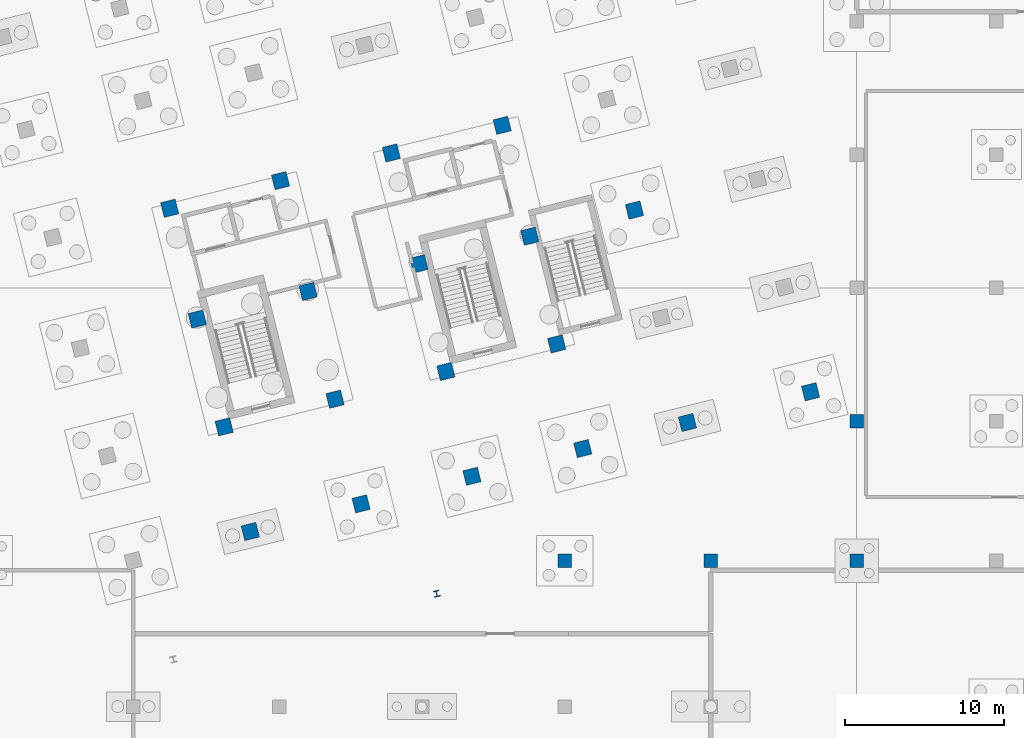
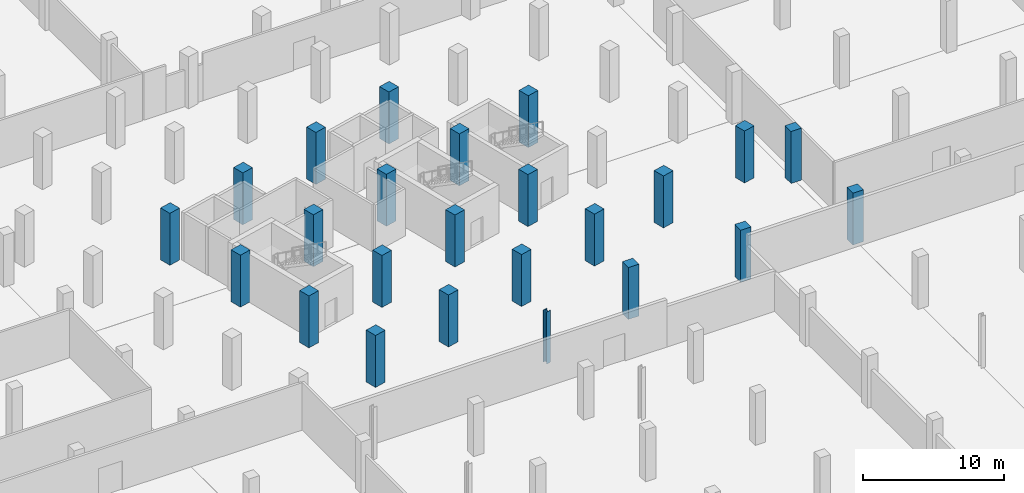
# One storey, part 11 of 29: 24 columns.
"""IFC4 building model written with IfcOpenShell, lengths in metres."""

import ifcopenshell
import ifcopenshell.guid

model = None  # the IFC model being written
_history = None  # IfcOwnerHistory: only IFC2X3 demands one
_inside = {}  # id of a spatial element -> (the spatial element, [elements in it])
_under = {}  # id of a project, library or spatial element -> (it, [spatial elements below it])
_declared = {}  # id of a project -> (the project, [libraries it declares])
_typed = {}  # id of a type object -> (the type object, [elements of that type])
_made_of = {}  # id of a material, layer set ... -> (it, [elements and type objects made of it])


def new_model(schema):
    """Start an empty IFC model of exactly this schema.

    Asked for "IFC4X3", IfcOpenShell would pick the latest addendum, in which some entities
    have other attributes; the version numbers below select the first issue.
    IFC2X3 requires an IfcOwnerHistory on every rooted entity: one is made here for all.
    """
    global model, _history
    if schema == "IFC4X3":
        model = ifcopenshell.file(schema_version=(4, 3, 0, 0))
    else:
        model = ifcopenshell.file(schema=schema)
    _inside.clear()
    _under.clear()
    _declared.clear()
    _typed.clear()
    _made_of.clear()
    _history = None
    if model.schema == "IFC2X3":
        org = make("IfcOrganization", Name="unknown")
        user = make(
            "IfcPersonAndOrganization",
            ThePerson=make("IfcPerson", FamilyName="unknown"),
            TheOrganization=org,
        )
        app = make(
            "IfcApplication",
            ApplicationDeveloper=org,
            Version="unknown",
            ApplicationFullName="unknown",
            ApplicationIdentifier="unknown",
        )
        _history = make(
            "IfcOwnerHistory",
            OwningUser=user,
            OwningApplication=app,
            ChangeAction="ADDED",
            CreationDate=0,
        )
    return model


def make(cls, **values):
    """One entity of the class cls with the attributes given. An attribute that is None is left unset."""
    return model.create_entity(
        cls, **{name: value for name, value in values.items() if value is not None}
    )


def rooted(cls, **values):
    """An entity with a GlobalId (a new one), such as an element, a storey or a relation."""
    return make(cls, GlobalId=ifcopenshell.guid.new(), OwnerHistory=_history, **values)


def si_unit(unit_type, name, prefix=None):
    """IfcSIUnit, for example si_unit("LENGTHUNIT", "METRE", prefix="MILLI")."""
    return make("IfcSIUnit", UnitType=unit_type, Prefix=prefix, Name=name)


def assignment(units):
    """IfcUnitAssignment: the units of a project."""
    return None if units is None else make("IfcUnitAssignment", Units=units)


def point(xyz):
    """IfcCartesianPoint."""
    return None if xyz is None else make("IfcCartesianPoint", Coordinates=xyz)


def direction(xyz):
    """IfcDirection."""
    return None if xyz is None else make("IfcDirection", DirectionRatios=xyz)


def frame(location, z_axis=None, x_axis=None):
    """IfcAxis2Placement3D, a coordinate frame: its origin and axes. An axis left out is left unset."""
    return make(
        "IfcAxis2Placement3D",
        Location=point(location),
        Axis=direction(z_axis),
        RefDirection=direction(x_axis),
    )


def frame_2d(location, x_axis=None):
    """IfcAxis2Placement2D, a coordinate frame in the plane: its origin and x axis."""
    return make(
        "IfcAxis2Placement2D", Location=point(location), RefDirection=direction(x_axis)
    )


def origin():
    """The frame at (0, 0, 0) with its axes left unset."""
    return frame((0.0, 0.0, 0.0))


def origin_2d():
    """The frame at (0, 0) in the plane with its x axis left unset."""
    return frame_2d((0.0, 0.0))


def place(relative_to, where):
    """IfcLocalPlacement: puts the frame where relative to a parent placement (None: the world)."""
    return make(
        "IfcLocalPlacement", PlacementRelTo=relative_to, RelativePlacement=where
    )


def context(
    kind, dimensions, precision=None, world=None, true_north=None, identifier=None
):
    """IfcGeometricRepresentationContext, for example the 3D "Model" context."""
    return make(
        "IfcGeometricRepresentationContext",
        ContextIdentifier=identifier,
        ContextType=kind,
        CoordinateSpaceDimension=dimensions,
        Precision=precision,
        WorldCoordinateSystem=world,
        TrueNorth=true_north,
    )


def subcontext(parent, identifier, kind, view, scale=None):
    """IfcGeometricRepresentationSubContext, for example "Body" below "Model"."""
    return make(
        "IfcGeometricRepresentationSubContext",
        ContextIdentifier=identifier,
        ContextType=kind,
        ParentContext=parent,
        TargetScale=scale,
        TargetView=view,
    )


def project(units=None, contexts=None):
    """IfcProject with its units and contexts."""
    return rooted(
        "IfcProject",
        Name="project",
        RepresentationContexts=contexts,
        UnitsInContext=assignment(units),
    )


def spatial(cls, under=None, at=None, **own):
    """A site, building, storey or space (cls), placed at a placement, below another one or the project."""
    s = rooted(cls, ObjectPlacement=at, **own)
    if under is not None:
        _under.setdefault(under.id(), (under, []))[1].append(s)
    return s


def profile(cls, at=None, kind="AREA", **sizes):
    """A parametric profile (cls). Its sizes go by their IFC names, for example OverallWidth=200.0."""
    return make(cls, ProfileType=kind, Position=at, **sizes)


def rectangle(**sizes):
    """IfcRectangleProfileDef."""
    return profile("IfcRectangleProfileDef", **sizes)


def i_section(**sizes):
    """IfcIShapeProfileDef."""
    return profile("IfcIShapeProfileDef", **sizes)


def extrude(swept, where, along, depth):
    """IfcExtrudedAreaSolid: the profile swept, set in the frame where, extruded along a direction by depth."""
    return make(
        "IfcExtrudedAreaSolid",
        SweptArea=swept,
        Position=where,
        ExtrudedDirection=direction(along),
        Depth=depth,
    )


def shape(context_of_items, identifier, shape_type, items):
    """IfcShapeRepresentation: the items that make up one representation, for example the "Body"."""
    return make(
        "IfcShapeRepresentation",
        ContextOfItems=context_of_items,
        RepresentationIdentifier=identifier,
        RepresentationType=shape_type,
        Items=items,
    )


def material(Name=None, Category=None):
    """IfcMaterial."""
    return make("IfcMaterial", Name=Name, Category=Category)


def material_profile(
    of_material, cross_section, Name=None, Category=None, Priority=None
):
    """IfcMaterialProfile: a cross section and its material."""
    return make(
        "IfcMaterialProfile",
        Name=Name,
        Material=of_material,
        Profile=cross_section,
        Priority=Priority,
        Category=Category,
    )


def profile_set(profiles, Name=None, composite=None):
    """IfcMaterialProfileSet."""
    return make(
        "IfcMaterialProfileSet",
        Name=Name,
        MaterialProfiles=profiles,
        CompositeProfile=composite,
    )


def made_of(thing, what):
    """Note that an element or type object is made of a material, layer set ...; save() writes the relation."""
    if what is not None:
        _made_of.setdefault(what.id(), (what, []))[1].append(thing)
    return thing


def type_object(cls, material=None, **own):
    """A type object (cls), such as IfcWallType, which elements share."""
    return made_of(rooted(cls, **own), material)


def element(
    cls,
    number,
    at=None,
    inside=None,
    cuts=None,
    type_object=None,
    material=None,
    context=None,
    identifier="Body",
    shape_type=None,
    held_by="IfcProductDefinitionShape",
    body=None,
    shapes=None,
    **own,
):
    """One element of the class cls, such as IfcWall. Its Tag is "e" and its number.

    at: its placement. inside: the storey or other place that contains it. cuts: it is an
    opening in that element (IfcRelVoidsElement). A single representation is given by context,
    identifier, shape_type and body (its items); several are given by shapes. held_by: the class
    of the entity that holds the representations. save() writes the other relations.
    """
    e = rooted(cls, Tag="e%d" % number, ObjectPlacement=at, **own)
    if body is not None:
        shapes = [shape(context, identifier, shape_type, body)]
    if shapes is not None:
        e.Representation = make(held_by, Representations=shapes)
    if inside is not None:
        _inside.setdefault(inside.id(), (inside, []))[1].append(e)
    if cuts is not None:
        rooted(
            "IfcRelVoidsElement", RelatingBuildingElement=cuts, RelatedOpeningElement=e
        )
    if type_object is not None:
        _typed.setdefault(type_object.id(), (type_object, []))[1].append(e)
    return made_of(e, material)


def aggregate(whole, parts):
    """IfcRelAggregates: a whole, such as a stair, and the parts it consists of."""
    return rooted("IfcRelAggregates", RelatingObject=whole, RelatedObjects=parts)


def save(model, path):
    """Write the relations noted so far, then the file.

    IfcRelAggregates (storeys below a building ...), IfcRelContainedInSpatialStructure (elements
    in a storey), IfcRelDefinesByType, IfcRelAssociatesMaterial and IfcRelDeclares: one each for
    every whole, place, type object, material and project.
    """
    for whole, parts in _under.values():
        aggregate(whole, parts)
    for where, things in _inside.values():
        rooted(
            "IfcRelContainedInSpatialStructure",
            RelatedElements=things,
            RelatingStructure=where,
        )
    for kind, things in _typed.values():
        rooted("IfcRelDefinesByType", RelatedObjects=things, RelatingType=kind)
    for what, things in _made_of.values():
        rooted("IfcRelAssociatesMaterial", RelatedObjects=things, RelatingMaterial=what)
    for by, libraries in _declared.values():
        rooted("IfcRelDeclares", RelatingContext=by, RelatedDefinitions=libraries)
    model.write(path)


model = new_model("IFC4")

# Units and contexts
model_context = context("Model", 3, precision=1e-05, world=origin(), true_north=direction((0.0, 1.0)))
body_context = subcontext(model_context, "Body", "Model", "MODEL_VIEW")
ifc_project = project(units=[si_unit("LENGTHUNIT", "METRE"), si_unit("AREAUNIT", "SQUARE_METRE"), si_unit("VOLUMEUNIT", "CUBIC_METRE"), si_unit("PLANEANGLEUNIT", "RADIAN"), si_unit("MASSUNIT", "GRAM", prefix="KILO")], contexts=[model_context])

# Site, building, storey
site_placement = place(None, origin())
site = spatial("IfcSite", under=ifc_project, at=site_placement, CompositionType="ELEMENT")
building_placement = place(site_placement, origin())
building = spatial("IfcBuilding", under=site, at=building_placement, Name="Meriwether Solvik Hall", CompositionType="ELEMENT")
storey_placement = place(building_placement, frame((0.0, 0.0, -9.0)))
storey = spatial("IfcBuildingStorey", under=building, at=storey_placement, Name="B02", CompositionType="ELEMENT", Elevation=-9.0)

# Columns
ifc_material_1 = material(Name="Concrete C40/50", Category="concrete")
ifc_material_profile_1 = material_profile(ifc_material_1, rectangle(XDim=0.85009765625, YDim=0.85009765625, at=origin_2d()), Name="RCC-850X850")
ifc_profile_set_1 = profile_set([ifc_material_profile_1], Name="Concrete C40/50")
column_type_1 = type_object("IfcColumnType", Name="COL-RC-850", PredefinedType="COLUMN", material=ifc_profile_set_1)
for number, where, z_axis, x_axis, name in (
    (1, (95.800048828125, 41.199951171875, 0.0), (0.0, 0.0, 1.0), (1.0, 0.0, 0.0), "Podium Column 11/E (B02)"),
    (2, (105.0, 41.199951171875, 0.0), (0.0, 0.0, 1.0), (1.0, 0.0, 0.0), "Podium Column 12/E (B02)"),
    (3, (114.199951171875, 41.199951171875, 0.0), (0.0, 0.0, 1.0), (1.0, 0.0, 0.0), "Podium Column 13/E (B02)"),
    (4, (114.199951171875, 50.0, 0.0), (0.0, 0.0, 1.0), (1.0, 0.0, 0.0), "Podium Column 13/F (B02)"),
):
    element("IfcColumn", number, at=place(storey_placement, frame(where, z_axis=z_axis, x_axis=x_axis)), inside=storey, type_object=column_type_1, Name=name, PredefinedType="COLUMN", context=body_context, shape_type="SweptSolid", body=[
        extrude(rectangle(XDim=0.85009765625, YDim=0.85009765625, at=origin_2d()), origin(), (0.0, 0.0, 1.0), 4.5),
    ])
ifc_material_2 = material(Name="Concrete C45/55", Category="concrete")
ifc_material_profile_2 = material_profile(ifc_material_2, rectangle(XDim=0.949951171875, YDim=0.949951171875, at=origin_2d()), Name="RCC-950X950")
ifc_profile_set_2 = profile_set([ifc_material_profile_2], Name="Concrete C45/55")
column_type_2 = type_object("IfcColumnType", Name="COL-RC-950", PredefinedType="COLUMN", material=ifc_profile_set_2)
for number, where, z_axis, x_axis, name in (
    (5, (75.974365234375, 43.03857421875, 0.0), (0.0, 0.0, 1.0), (0.970295726276, 0.2419218956, 0.0), "Tower Column T2/TA (B02)"),
    (6, (74.3291015625, 49.63671875, 0.0), (0.0, 0.0, 1.0), (0.970295726276, 0.2419218956, 0.0), "Tower Column T2/TB (B02)"),
    (7, (72.6357421875, 56.4287109375, 0.0), (0.0, 0.0, 1.0), (0.970295726276, 0.2419218956, 0.0), "Tower Column T2/TC (B02)"),
    (8, (70.893798828125, 63.414794921875, 0.0), (0.0, 0.0, 1.0), (0.970295726276, 0.2419218956, 0.0), "Tower Column T2/TD (B02)"),
    (9, (82.96044921875, 44.780517578125, 0.0), (0.0, 0.0, 1.0), (0.970295726276, 0.2419218956, 0.0), "Tower Column T3/TA (B02)"),
    (10, (81.3154296875, 51.37841796875, 0.0), (0.0, 0.0, 1.0), (0.970295726276, 0.2419218956, 0.0), "Tower Column T3/TB (B02)"),
    (11, (79.621826171875, 58.17041015625, 0.0), (0.0, 0.0, 1.0), (0.970295726276, 0.2419218956, 0.0), "Tower Column T3/TC (B02)"),
    (12, (77.880126953125, 65.15673828125, 0.0), (0.0, 0.0, 1.0), (0.970295726276, 0.2419218956, 0.0), "Tower Column T3/TD (B02)"),
    (13, (89.946533203125, 46.522216796875, 0.0), (0.0, 0.0, 1.0), (0.970295726276, 0.2419218956, 0.0), "Tower Column T4/TA (B02)"),
    (14, (88.301513671875, 53.120361328125, 0.0), (0.0, 0.0, 1.0), (0.970295726276, 0.2419218956, 0.0), "Tower Column T4/TB (B02)"),
    (15, (86.60791015625, 59.912353515625, 0.0), (0.0, 0.0, 1.0), (0.970295726276, 0.2419218956, 0.0), "Tower Column T4/TC (B02)"),
    (16, (84.8662109375, 66.8984375, 0.0), (0.0, 0.0, 1.0), (0.970295726276, 0.2419218956, 0.0), "Tower Column T4/TD (B02)"),
    (17, (96.9326171875, 48.26416015625, 0.0), (0.0, 0.0, 1.0), (0.970295726276, 0.2419218956, 0.0), "Tower Column T5/TA (B02)"),
    (18, (95.28759765625, 54.862060546875, 0.0), (0.0, 0.0, 1.0), (0.970295726276, 0.2419218956, 0.0), "Tower Column T5/TB (B02)"),
    (19, (93.593994140625, 61.654296875, 0.0), (0.0, 0.0, 1.0), (0.970295726276, 0.2419218956, 0.0), "Tower Column T5/TC (B02)"),
    (20, (91.852294921875, 68.640380859375, 0.0), (0.0, 0.0, 1.0), (0.970295726276, 0.2419218956, 0.0), "Tower Column T5/TD (B02)"),
    (21, (103.53076171875, 49.9091796875, 0.0), (0.0, 0.0, 1.0), (0.970295726276, 0.2419218956, 0.0), "Tower Column T6/TA (B02)"),
    (22, (100.192138671875, 63.29931640625, 0.0), (0.0, 0.0, 1.0), (0.970295726276, 0.2419218956, 0.0), "Tower Column T6/TC (B02)"),
    (23, (111.29296875, 51.844482421875, 0.0), (0.0, 0.0, 1.0), (0.970295726276, 0.2419218956, 0.0), "Tower Column T7/TA (B02)"),
):
    element("IfcColumn", number, at=place(storey_placement, frame(where, z_axis=z_axis, x_axis=x_axis)), inside=storey, type_object=column_type_2, Name=name, PredefinedType="COLUMN", context=body_context, shape_type="SweptSolid", body=[
        extrude(rectangle(XDim=0.949951171875, YDim=0.949951171875, at=origin_2d()), origin(), (0.0, 0.0, 1.0), 4.5),
    ])
ifc_material_3 = material(Name="Steel A992 Grade 50", Category="steel")
ifc_material_profile_3 = material_profile(ifc_material_3, i_section(OverallWidth=0.3740234375, OverallDepth=0.3720703125, WebThickness=0.016357421875, FlangeThickness=0.026123046875, at=origin_2d()), Name="W14X132")
ifc_profile_set_3 = profile_set([ifc_material_profile_3], Name="Steel A992 Grade 50")
column_type_3 = type_object("IfcColumnType", Name="COL-STL-W14X132", PredefinedType="COLUMN", material=ifc_profile_set_3)
column_placement = place(storey_placement, frame((87.72265625, 39.1142578125, 0.0), z_axis=(0.0, 0.0, 1.0), x_axis=(0.970295726276, 0.2419218956, 0.0)))
element("IfcColumn", 24, at=column_placement, inside=storey, type_object=column_type_3, Name="Atrium Cleft Corner Column NE (B02)", PredefinedType="COLUMN", context=body_context, shape_type="SweptSolid", body=[
    extrude(i_section(OverallWidth=0.3740234375, OverallDepth=0.3720703125, WebThickness=0.016357421875, FlangeThickness=0.026123046875, at=origin_2d()), origin(), (0.0, 0.0, 1.0), 4.5),
])

save(model, "model.ifc")
